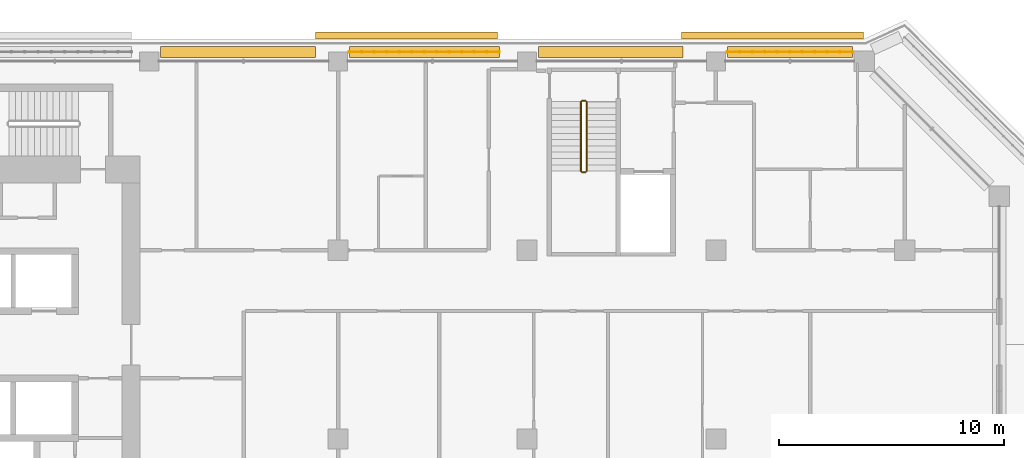
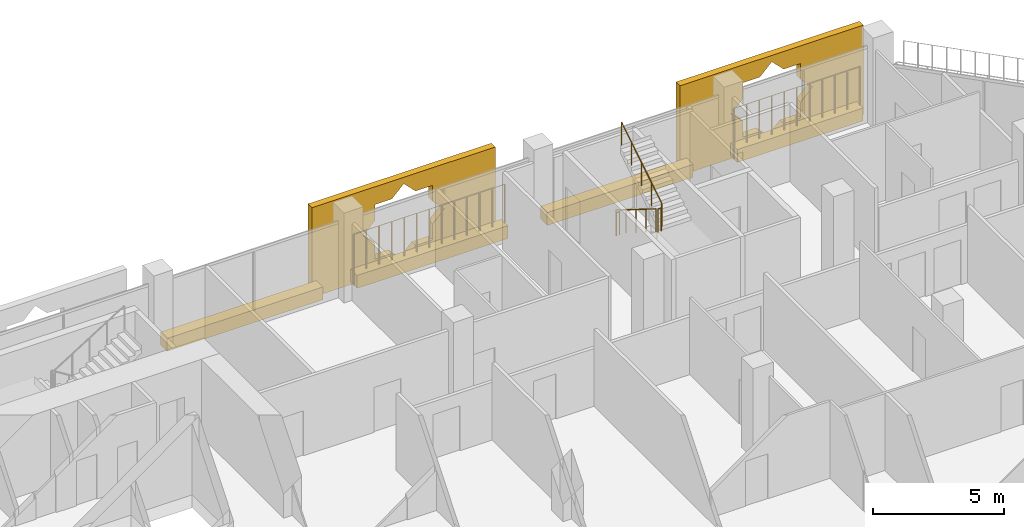
# One storey, part 20 of 21: 6 coverings, 6 railings.
"""IFC4 building model written with IfcOpenShell, lengths in metres."""

from ifc_helpers import new_model, si_unit, direction, frame, origin, origin_2d, place, context, subcontext, project, spatial, polyline, rectangle, circle, outline, extrude, material, material_profile, profile_set, type_object, element, save


model = new_model("IFC4")

# Units and contexts
model_context = context("Model", 3, precision=1e-05, world=origin(), true_north=direction((0.0, 1.0)))
body_context = subcontext(model_context, "Body", "Model", "MODEL_VIEW")
ifc_project = project(units=[si_unit("LENGTHUNIT", "METRE"), si_unit("AREAUNIT", "SQUARE_METRE"), si_unit("VOLUMEUNIT", "CUBIC_METRE"), si_unit("PLANEANGLEUNIT", "RADIAN"), si_unit("MASSUNIT", "GRAM", prefix="KILO")], contexts=[model_context])

# Site, building, storey
site_placement = place(None, origin())
site = spatial("IfcSite", under=ifc_project, at=site_placement, CompositionType="ELEMENT")
building_placement = place(site_placement, origin())
building = spatial("IfcBuilding", under=site, at=building_placement, Name="Kawkab Arch Medical Tower", CompositionType="ELEMENT")
storey_placement = place(building_placement, frame((0.0, 0.0, 260.0)))
storey = spatial("IfcBuildingStorey", under=building, at=storey_placement, Name="L60", CompositionType="ELEMENT", Elevation=260.0)

# Coverings
ifc_material_1 = material(Name="Bronze anodised aluminium mashrabiya panel, eight-point star pattern", Category="aluminium")
ifc_material_profile_1 = material_profile(ifc_material_1, outline(polyline([(-4.050048828125, -2.10009765625), (4.050048828125, -2.10009765625), (4.050048828125, 2.10009765625), (-4.050048828125, 2.10009765625), (-4.050048828125, -2.10009765625)]), holes=[polyline([(1.800048828125, 0.0), (1.272705078125, 0.527099609375), (1.272705078125, 1.272705078125), (0.527099609375, 1.272705078125), (0.0, 1.800048828125), (-0.527099609375, 1.272705078125), (-1.272705078125, 1.272705078125), (-1.272705078125, 0.527099609375), (-1.800048828125, 0.0), (-1.272705078125, -0.527099609375), (-1.272705078125, -1.272705078125), (-0.527099609375, -1.272705078125), (0.0, -1.800048828125), (0.527099609375, -1.272705078125), (1.272705078125, -1.272705078125), (1.272705078125, -0.527099609375), (1.800048828125, 0.0)])]), Name="Mashrabiya panel 8100x4200")
ifc_profile_set_1 = profile_set([ifc_material_profile_1], Name="Bronze anodised aluminium mashrabiya panel, eight-point star pattern")
covering_type_1 = type_object("IfcCoveringType", Name="Mashrabiya panel 8100 x 4200", PredefinedType="USERDEFINED", material=ifc_profile_set_1)
for number, where, z_axis, x_axis, name in (
    (1, (36.6435546875, 1.0, 1.699951171875), (0.0, 1.0, 0.0), (-1.0, 0.0, 0.0), "Mashrabiya panel L60.LOG-01-01.7"),
    (2, (52.910400390625, 1.0, 1.699951171875), (0.0, 1.0, 0.0), (-1.0, 0.0, 0.0), "Mashrabiya panel L60.LOG-01-01.8"),
):
    element("IfcCovering", number, at=place(storey_placement, frame(where, z_axis=z_axis, x_axis=x_axis)), inside=storey, type_object=covering_type_1, Name=name, ObjectType="SCREEN", PredefinedType="USERDEFINED", context=body_context, shape_type="SweptSolid", body=[
        extrude(outline(polyline([(-4.050048828125, -2.10009765625), (4.050048828125, -2.10009765625), (4.050048828125, 2.10009765625), (-4.050048828125, 2.10009765625), (-4.050048828125, -2.10009765625)]), holes=[polyline([(1.800048828125, 0.0), (1.272705078125, 0.527099609375), (1.272705078125, 1.272705078125), (0.527099609375, 1.272705078125), (0.0, 1.800048828125), (-0.527099609375, 1.272705078125), (-1.272705078125, 1.272705078125), (-1.272705078125, 0.527099609375), (-1.800048828125, 0.0), (-1.272705078125, -0.527099609375), (-1.272705078125, -1.272705078125), (-0.527099609375, -1.272705078125), (0.0, -1.800048828125), (0.527099609375, -1.272705078125), (1.272705078125, -1.272705078125), (1.272705078125, -0.527099609375), (1.800048828125, 0.0)])]), origin(), (0.0, 0.0, 1.0), 0.300048828125),
    ])
ifc_material_2 = material(Name="Planting soil in a precast trough", Category="concrete")
ifc_material_profile_2 = material_profile(ifc_material_2, rectangle(XDim=0.5, YDim=0.60009765625, at=origin_2d()), Name="Trough 500x600")
ifc_profile_set_2 = profile_set([ifc_material_profile_2], Name="Planting soil in a precast trough")
covering_type_2 = type_object("IfcCoveringType", Name="Planter trough 500 x 600", PredefinedType="USERDEFINED", material=ifc_profile_set_2)
covering_1_placement = place(storey_placement, frame((25.705078125, 0.419921875, 0.300048828125), z_axis=(1.0, 0.0, 0.0), x_axis=(0.0, 1.0, 0.0)))
element("IfcCovering", 3, at=covering_1_placement, inside=storey, type_object=covering_type_2, Name="Planter L60.LOG-01-01.20", ObjectType="PLANTER", PredefinedType="USERDEFINED", context=body_context, shape_type="SweptSolid", body=[
    extrude(rectangle(XDim=0.5, YDim=0.60009765625, at=origin_2d()), origin(), (0.0, 0.0, 1.0), 6.884033203125),
])
covering_2_placement = place(storey_placement, frame((34.10498046875, 0.419921875, 0.300048828125), z_axis=(1.0, 0.0, 0.0), x_axis=(0.0, 1.0, 0.0)))
element("IfcCovering", 4, at=covering_2_placement, inside=storey, type_object=covering_type_2, Name="Planter L60.LOG-01-01.21", ObjectType="PLANTER", PredefinedType="USERDEFINED", context=body_context, shape_type="SweptSolid", body=[
    extrude(rectangle(XDim=0.5, YDim=0.60009765625, at=origin_2d()), origin(), (0.0, 0.0, 1.0), 6.6630859375),
])
covering_3_placement = place(storey_placement, frame((42.5048828125, 0.419921875, 0.300048828125), z_axis=(1.0, 0.0, 0.0), x_axis=(0.0, 1.0, 0.0)))
element("IfcCovering", 5, at=covering_3_placement, inside=storey, type_object=covering_type_2, Name="Planter L60.LOG-01-01.22", ObjectType="PLANTER", PredefinedType="USERDEFINED", context=body_context, shape_type="SweptSolid", body=[
    extrude(rectangle(XDim=0.5, YDim=0.60009765625, at=origin_2d()), origin(), (0.0, 0.0, 1.0), 6.442138671875),
])
covering_4_placement = place(storey_placement, frame((50.905029296875, 0.419921875, 0.300048828125), z_axis=(1.0, 0.0, 0.0), x_axis=(0.0, 1.0, 0.0)))
element("IfcCovering", 6, at=covering_4_placement, inside=storey, type_object=covering_type_2, Name="Planter L60.LOG-01-01.23", ObjectType="PLANTER", PredefinedType="USERDEFINED", context=body_context, shape_type="SweptSolid", body=[
    extrude(rectangle(XDim=0.5, YDim=0.60009765625, at=origin_2d()), origin(), (0.0, 0.0, 1.0), 5.56494140625),
])

# Railings
ifc_material_3 = material(Name="Bronze anodised aluminium trellis for climbing plants", Category="aluminium")
railing_type_1 = type_object("IfcRailingType", Name="Planting trellis 2400", PredefinedType="USERDEFINED", material=ifc_material_3)
railing_1_placement = place(storey_placement, frame((34.10498046875, 0.419921875, 0.0)))
element("IfcRailing", 7, at=railing_1_placement, inside=storey, type_object=railing_type_1, Name="Planting trellis L60.LOG-01-01.21", ObjectType="TRELLIS", PredefinedType="USERDEFINED", context=body_context, shape_type="SweptSolid", body=[
    extrude(circle(Radius=0.01513671875, at=origin_2d()), frame((0.0, 0.0, 2.384765625), z_axis=(1.0, 0.0, 0.0), x_axis=(0.0, 1.0, 0.0)), (0.0, 0.0, 1.0), 6.6630859375),
    extrude(circle(Radius=0.030029296875, at=origin_2d()), origin(), (0.0, 0.0, 1.0), 2.369873046875),
    extrude(circle(Radius=0.030029296875, at=origin_2d()), frame((0.55517578125, 0.0, 0.0)), (0.0, 0.0, 1.0), 2.369873046875),
    extrude(circle(Radius=0.030029296875, at=origin_2d()), frame((1.110595703125, 0.0, 0.0)), (0.0, 0.0, 1.0), 2.369873046875),
    extrude(circle(Radius=0.030029296875, at=origin_2d()), frame((1.665771484375, 0.0, 0.0)), (0.0, 0.0, 1.0), 2.369873046875),
    extrude(circle(Radius=0.030029296875, at=origin_2d()), frame((2.220947265625, 0.0, 0.0)), (0.0, 0.0, 1.0), 2.369873046875),
    extrude(circle(Radius=0.030029296875, at=origin_2d()), frame((2.7763671875, 0.0, 0.0)), (0.0, 0.0, 1.0), 2.369873046875),
    extrude(circle(Radius=0.030029296875, at=origin_2d()), frame((3.33154296875, 0.0, 0.0)), (0.0, 0.0, 1.0), 2.369873046875),
    extrude(circle(Radius=0.030029296875, at=origin_2d()), frame((3.88671875, 0.0, 0.0)), (0.0, 0.0, 1.0), 2.369873046875),
    extrude(circle(Radius=0.030029296875, at=origin_2d()), frame((4.442138671875, 0.0, 0.0)), (0.0, 0.0, 1.0), 2.369873046875),
    extrude(circle(Radius=0.030029296875, at=origin_2d()), frame((4.997314453125, 0.0, 0.0)), (0.0, 0.0, 1.0), 2.369873046875),
    extrude(circle(Radius=0.030029296875, at=origin_2d()), frame((5.552490234375, 0.0, 0.0)), (0.0, 0.0, 1.0), 2.369873046875),
    extrude(circle(Radius=0.030029296875, at=origin_2d()), frame((6.10791015625, 0.0, 0.0)), (0.0, 0.0, 1.0), 2.369873046875),
    extrude(circle(Radius=0.030029296875, at=origin_2d()), frame((6.6630859375, 0.0, 0.0)), (0.0, 0.0, 1.0), 2.369873046875),
])
railing_2_placement = place(storey_placement, frame((50.905029296875, 0.419921875, 0.0)))
element("IfcRailing", 8, at=railing_2_placement, inside=storey, type_object=railing_type_1, Name="Planting trellis L60.LOG-01-01.23", ObjectType="TRELLIS", PredefinedType="USERDEFINED", context=body_context, shape_type="SweptSolid", body=[
    extrude(circle(Radius=0.01513671875, at=origin_2d()), frame((0.0, 0.0, 2.384765625), z_axis=(1.0, 0.0, 0.0), x_axis=(0.0, 1.0, 0.0)), (0.0, 0.0, 1.0), 5.56494140625),
    extrude(circle(Radius=0.030029296875, at=origin_2d()), origin(), (0.0, 0.0, 1.0), 2.369873046875),
    extrude(circle(Radius=0.030029296875, at=origin_2d()), frame((0.556396484375, 0.0, 0.0)), (0.0, 0.0, 1.0), 2.369873046875),
    extrude(circle(Radius=0.030029296875, at=origin_2d()), frame((1.113037109375, 0.0, 0.0)), (0.0, 0.0, 1.0), 2.369873046875),
    extrude(circle(Radius=0.030029296875, at=origin_2d()), frame((1.66943359375, 0.0, 0.0)), (0.0, 0.0, 1.0), 2.369873046875),
    extrude(circle(Radius=0.030029296875, at=origin_2d()), frame((2.22607421875, 0.0, 0.0)), (0.0, 0.0, 1.0), 2.369873046875),
    extrude(circle(Radius=0.030029296875, at=origin_2d()), frame((2.782470703125, 0.0, 0.0)), (0.0, 0.0, 1.0), 2.369873046875),
    extrude(circle(Radius=0.030029296875, at=origin_2d()), frame((3.3388671875, 0.0, 0.0)), (0.0, 0.0, 1.0), 2.369873046875),
    extrude(circle(Radius=0.030029296875, at=origin_2d()), frame((3.8955078125, 0.0, 0.0)), (0.0, 0.0, 1.0), 2.369873046875),
    extrude(circle(Radius=0.030029296875, at=origin_2d()), frame((4.451904296875, 0.0, 0.0)), (0.0, 0.0, 1.0), 2.369873046875),
    extrude(circle(Radius=0.030029296875, at=origin_2d()), frame((5.008544921875, 0.0, 0.0)), (0.0, 0.0, 1.0), 2.369873046875),
    extrude(circle(Radius=0.030029296875, at=origin_2d()), frame((5.56494140625, 0.0, 0.0)), (0.0, 0.0, 1.0), 2.369873046875),
])
ifc_material_4 = material(Name="Stainless steel", Category="steel")
railing_type_2 = type_object("IfcRailingType", Name="Stair guard 1100", PredefinedType="GUARDRAIL", material=ifc_material_4)
railing_3_placement = place(storey_placement, frame((44.39990234375, -1.800048828125, 0.175048828125)))
element("IfcRailing", 9, at=railing_3_placement, inside=storey, type_object=railing_type_2, Name="L60 ST5 stair guard 1", PredefinedType="GUARDRAIL", context=body_context, shape_type="SweptSolid", body=[
    extrude(circle(Radius=0.02392578125, at=origin_2d()), frame((0.0, 0.0, 1.076171875), z_axis=(0.0, -0.847979421464, 0.530029150871), x_axis=(1.0, 0.0, 0.0)), (0.0, 0.0, 1.0), 3.632080078125),
    extrude(circle(Radius=0.02099609375, at=origin_2d()), origin(), (0.0, 0.0, 1.0), 1.052001953125),
    extrude(circle(Radius=0.02099609375, at=origin_2d()), frame((0.0, -0.77001953125, 0.481201171875)), (0.0, 0.0, 1.0), 1.052001953125),
    extrude(circle(Radius=0.02099609375, at=origin_2d()), frame((0.0, -1.5400390625, 0.96240234375)), (0.0, 0.0, 1.0), 1.052001953125),
    extrude(circle(Radius=0.02099609375, at=origin_2d()), frame((0.0, -2.309814453125, 1.44384765625)), (0.0, 0.0, 1.0), 1.052001953125),
    extrude(circle(Radius=0.02099609375, at=origin_2d()), frame((0.0, -3.079833984375, 1.925048828125)), (0.0, 0.0, 1.0), 1.052001953125),
])
railing_4_placement = place(storey_placement, frame((44.449951171875, -4.929931640625, 2.10009765625)))
element("IfcRailing", 10, at=railing_4_placement, inside=storey, type_object=railing_type_2, Name="L60 ST5 stair guard 2", PredefinedType="GUARDRAIL", context=body_context, shape_type="SweptSolid", body=[
    extrude(circle(Radius=0.02392578125, at=origin_2d()), frame((0.0, 0.0, 1.076171875), z_axis=(1.0, 0.0, 0.0), x_axis=(0.0, 1.0, 0.0)), (0.0, 0.0, 1.0), 0.150146484375),
    extrude(circle(Radius=0.02099609375, at=origin_2d()), origin(), (0.0, 0.0, 1.0), 1.052001953125),
    extrude(circle(Radius=0.02099609375, at=origin_2d()), frame((0.150146484375, 0.0, 0.0)), (0.0, 0.0, 1.0), 1.052001953125),
])
railing_5_placement = place(storey_placement, frame((44.64990234375, -4.8798828125, 2.27490234375)))
element("IfcRailing", 11, at=railing_5_placement, inside=storey, type_object=railing_type_2, Name="L60 ST5 stair guard 3", PredefinedType="GUARDRAIL", context=body_context, shape_type="SweptSolid", body=[
    extrude(circle(Radius=0.02392578125, at=origin_2d()), frame((0.0, 0.0, 1.076171875), z_axis=(0.0, 0.847979421464, 0.530029150871), x_axis=(-1.0, 0.0, 0.0)), (0.0, 0.0, 1.0), 3.632080078125),
    extrude(circle(Radius=0.02099609375, at=origin_2d()), origin(), (0.0, 0.0, 1.0), 1.052001953125),
    extrude(circle(Radius=0.02099609375, at=origin_2d()), frame((0.0, 0.77001953125, 0.481201171875)), (0.0, 0.0, 1.0), 1.052001953125),
    extrude(circle(Radius=0.02099609375, at=origin_2d()), frame((0.0, 1.5400390625, 0.96240234375)), (0.0, 0.0, 1.0), 1.052001953125),
    extrude(circle(Radius=0.02099609375, at=origin_2d()), frame((0.0, 2.309814453125, 1.44384765625)), (0.0, 0.0, 1.0), 1.052001953125),
    extrude(circle(Radius=0.02099609375, at=origin_2d()), frame((0.0, 3.079833984375, 1.925048828125)), (0.0, 0.0, 1.0), 1.052001953125),
])
railing_6_placement = place(storey_placement, frame((44.449951171875, -1.75, 0.0)))
element("IfcRailing", 12, at=railing_6_placement, inside=storey, type_object=railing_type_2, Name="L60 ST5 stair guard 4", PredefinedType="GUARDRAIL", context=body_context, shape_type="SweptSolid", body=[
    extrude(circle(Radius=0.02392578125, at=origin_2d()), frame((0.0, 0.0, 1.076171875), z_axis=(1.0, 0.0, 0.0), x_axis=(0.0, 1.0, 0.0)), (0.0, 0.0, 1.0), 0.150146484375),
    extrude(circle(Radius=0.02099609375, at=origin_2d()), origin(), (0.0, 0.0, 1.0), 1.052001953125),
    extrude(circle(Radius=0.02099609375, at=origin_2d()), frame((0.150146484375, 0.0, 0.0)), (0.0, 0.0, 1.0), 1.052001953125),
])

save(model, "model.ifc")
